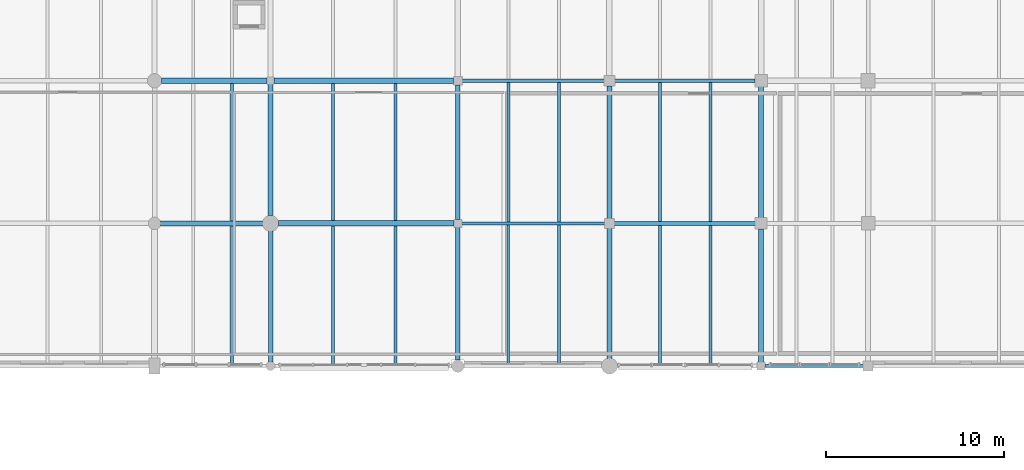
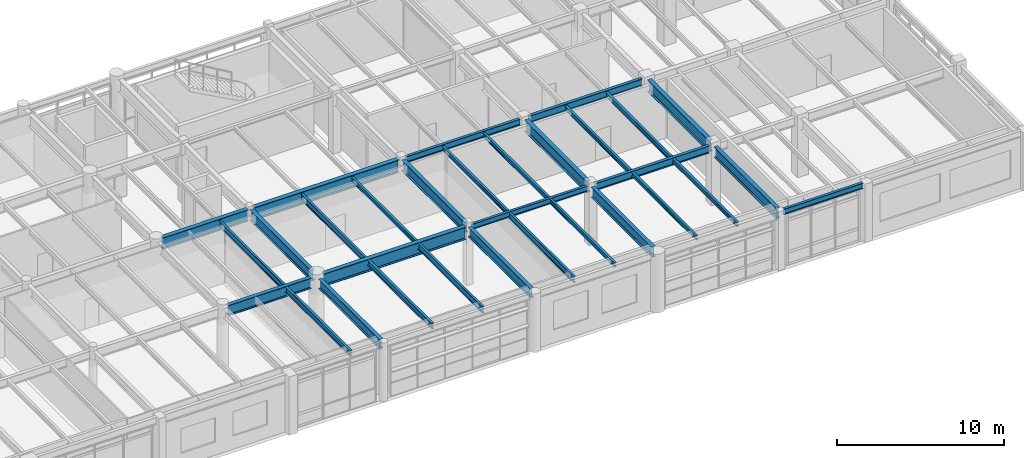
# One storey, part 114 of 168: 31 beams.
"""IFC4 building model written with IfcOpenShell, lengths in metres."""

from ifc_helpers import new_model, si_unit, direction, frame, origin, origin_2d, place, context, subcontext, project, spatial, i_section, extrude, material, material_profile, profile_set, type_object, element, save


model = new_model("IFC4")

# Units and contexts
model_context = context("Model", 3, precision=1e-05, world=origin(), true_north=direction((0.0, 1.0)))
body_context = subcontext(model_context, "Body", "Model", "MODEL_VIEW")
ifc_project = project(units=[si_unit("LENGTHUNIT", "METRE"), si_unit("AREAUNIT", "SQUARE_METRE"), si_unit("VOLUMEUNIT", "CUBIC_METRE"), si_unit("PLANEANGLEUNIT", "RADIAN"), si_unit("MASSUNIT", "GRAM", prefix="KILO"), si_unit("THERMODYNAMICTEMPERATUREUNIT", "KELVIN"), si_unit("POWERUNIT", "WATT")], contexts=[model_context])

# Site, building, storey
site_placement = place(None, origin())
site = spatial("IfcSite", under=ifc_project, at=site_placement, CompositionType="ELEMENT")
building_placement = place(site_placement, origin())
building = spatial("IfcBuilding", under=site, at=building_placement, Name="Tepalcoro Natatorium and Aquatics Centre", CompositionType="ELEMENT")
storey_placement = place(building_placement, frame((0.0, 0.0, 10.199951171875)))
storey = spatial("IfcBuildingStorey", under=building, at=storey_placement, Name="L02", CompositionType="ELEMENT", Elevation=10.199951171875)

# Beams
ifc_material = material(Name="Steel ASTM A992 Grade 50 (Fy 345 MPa)", Category="steel")
ifc_material_profile_1 = material_profile(ifc_material, i_section(OverallWidth=0.177978515625, OverallDepth=0.406005859375, WebThickness=0.008056640625, FlangeThickness=0.012939453125, FilletRadius=0.013916015625, at=origin_2d()), Name="W16X40")
ifc_profile_set_1 = profile_set([ifc_material_profile_1], Name="Steel ASTM A992 Grade 50 (Fy 345 MPa)")
beam_type_1 = type_object("IfcBeamType", Name="BM_W16x40", PredefinedType="BEAM", material=ifc_profile_set_1)
beam_1_placement = place(storey_placement, frame((142.2099609375, 94.0, 4.08203125), z_axis=(1.0, 0.0, 0.0), x_axis=(0.0, 1.0, 0.0)))
element("IfcBeam", 1, at=beam_1_placement, inside=storey, type_object=beam_type_1, Name="V5 L02 Grid Girder X", PredefinedType="BEAM", context=body_context, shape_type="SweptSolid", body=[
    extrude(i_section(OverallWidth=0.177978515625, OverallDepth=0.406005859375, WebThickness=0.008056640625, FlangeThickness=0.012939453125, FilletRadius=0.013916015625, at=origin_2d()), origin(), (0.0, 0.0, 1.0), 8.030029296875),
])
ifc_material_profile_2 = material_profile(ifc_material, i_section(OverallWidth=0.19091796875, OverallDepth=0.45703125, WebThickness=0.009033203125, FlangeThickness=0.013916015625, FilletRadius=0.013916015625, at=origin_2d()), Name="W18X50")
ifc_profile_set_2 = profile_set([ifc_material_profile_2], Name="Steel ASTM A992 Grade 50 (Fy 345 MPa)")
beam_type_2 = type_object("IfcBeamType", Name="BM_W18x50", PredefinedType="BEAM", material=ifc_profile_set_2)
beam_2_placement = place(storey_placement, frame((142.235107421875, 102.0, 4.136474609375), z_axis=(1.0, 0.0, 0.0), x_axis=(0.0, 1.0, 0.0)))
element("IfcBeam", 2, at=beam_2_placement, inside=storey, type_object=beam_type_2, Name="V5 L02 Grid Girder X", PredefinedType="BEAM", context=body_context, shape_type="SweptSolid", body=[
    extrude(i_section(OverallWidth=0.19091796875, OverallDepth=0.45703125, WebThickness=0.009033203125, FlangeThickness=0.013916015625, FilletRadius=0.013916015625, at=origin_2d()), origin(), (0.0, 0.0, 1.0), 7.97998046875),
])
ifc_material_profile_3 = material_profile(ifc_material, i_section(OverallWidth=0.2099609375, OverallDepth=0.532958984375, WebThickness=0.010009765625, FlangeThickness=0.01611328125, FilletRadius=0.013916015625, at=origin_2d()), Name="W21X62")
ifc_profile_set_3 = profile_set([ifc_material_profile_3], Name="Steel ASTM A992 Grade 50 (Fy 345 MPa)")
beam_type_3 = type_object("IfcBeamType", Name="BM_W21x62", PredefinedType="BEAM", material=ifc_profile_set_3)
beam_3_placement = place(storey_placement, frame((150.760009765625, 94.0, 4.0185546875), z_axis=(1.0, 0.0, 0.0), x_axis=(0.0, 1.0, 0.0)))
element("IfcBeam", 3, at=beam_3_placement, inside=storey, type_object=beam_type_3, Name="V5 L02 Grid Girder X", PredefinedType="BEAM", context=body_context, shape_type="SweptSolid", body=[
    extrude(i_section(OverallWidth=0.2099609375, OverallDepth=0.532958984375, WebThickness=0.010009765625, FlangeThickness=0.01611328125, FilletRadius=0.013916015625, at=origin_2d()), origin(), (0.0, 0.0, 1.0), 7.929931640625),
])
ifc_material_profile_4 = material_profile(ifc_material, i_section(OverallWidth=0.2119140625, OverallDepth=0.5439453125, WebThickness=0.012939453125, FlangeThickness=0.02099609375, FilletRadius=0.013916015625, at=origin_2d()), Name="W21X83")
ifc_profile_set_4 = profile_set([ifc_material_profile_4], Name="Steel ASTM A992 Grade 50 (Fy 345 MPa)")
beam_type_4 = type_object("IfcBeamType", Name="BM_W21x83", PredefinedType="BEAM", material=ifc_profile_set_4)
beam_4_placement = place(storey_placement, frame((150.784912109375, 102.0, 4.093017578125), z_axis=(1.0, 0.0, 0.0), x_axis=(0.0, 1.0, 0.0)))
element("IfcBeam", 4, at=beam_4_placement, inside=storey, type_object=beam_type_4, Name="V5 L02 Grid Girder X", PredefinedType="BEAM", context=body_context, shape_type="SweptSolid", body=[
    extrude(i_section(OverallWidth=0.2119140625, OverallDepth=0.5439453125, WebThickness=0.012939453125, FlangeThickness=0.02099609375, FilletRadius=0.013916015625, at=origin_2d()), origin(), (0.0, 0.0, 1.0), 7.880126953125),
])
ifc_material_profile_5 = material_profile(ifc_material, i_section(OverallWidth=0.25390625, OverallDepth=0.68798828125, WebThickness=0.012939453125, FlangeThickness=0.02099609375, FilletRadius=0.013916015625, at=origin_2d()), Name="W27X102")
ifc_profile_set_5 = profile_set([ifc_material_profile_5], Name="Steel ASTM A992 Grade 50 (Fy 345 MPa)")
beam_type_5 = type_object("IfcBeamType", Name="BM_W27x102", PredefinedType="BEAM", material=ifc_profile_set_5)
beam_5_placement = place(storey_placement, frame((131.5, 86.235107421875, 3.941162109375), z_axis=(0.0, 1.0, 0.0), x_axis=(-1.0, 0.0, 0.0)))
element("IfcBeam", 5, at=beam_5_placement, inside=storey, type_object=beam_type_5, Name="V5 L02 Grid Girder Y", PredefinedType="BEAM", context=body_context, shape_type="SweptSolid", body=[
    extrude(i_section(OverallWidth=0.25390625, OverallDepth=0.68798828125, WebThickness=0.012939453125, FlangeThickness=0.02099609375, FilletRadius=0.013916015625, at=origin_2d()), origin(), (0.0, 0.0, 1.0), 7.329833984375),
])
ifc_material_profile_6 = material_profile(ifc_material, i_section(OverallWidth=0.25390625, OverallDepth=0.700927734375, WebThickness=0.014892578125, FlangeThickness=0.028076171875, FilletRadius=0.013916015625, at=origin_2d()), Name="W27X129")
ifc_profile_set_6 = profile_set([ifc_material_profile_6], Name="Steel ASTM A992 Grade 50 (Fy 345 MPa)")
beam_type_6 = type_object("IfcBeamType", Name="BM_W27x129", PredefinedType="BEAM", material=ifc_profile_set_6)
beam_6_placement = place(storey_placement, frame((142.0, 86.3349609375, 3.9345703125), z_axis=(0.0, 1.0, 0.0), x_axis=(-1.0, 0.0, 0.0)))
element("IfcBeam", 6, at=beam_6_placement, inside=storey, type_object=beam_type_6, Name="V5 L02 Grid Girder Y", PredefinedType="BEAM", context=body_context, shape_type="SweptSolid", body=[
    extrude(i_section(OverallWidth=0.25390625, OverallDepth=0.700927734375, WebThickness=0.014892578125, FlangeThickness=0.028076171875, FilletRadius=0.013916015625, at=origin_2d()), origin(), (0.0, 0.0, 1.0), 7.455078125),
])
ifc_material_profile_7 = material_profile(ifc_material, i_section(OverallWidth=0.26708984375, OverallDepth=0.761962890625, WebThickness=0.013916015625, FlangeThickness=0.02197265625, FilletRadius=0.013916015625, at=origin_2d()), Name="W30X116")
ifc_profile_set_7 = profile_set([ifc_material_profile_7], Name="Steel ASTM A992 Grade 50 (Fy 345 MPa)")
beam_type_7 = type_object("IfcBeamType", Name="BM_W30x116", PredefinedType="BEAM", material=ifc_profile_set_7)
beam_7_placement = place(storey_placement, frame((131.5, 94.43505859375, 3.984130859375), z_axis=(0.0, 1.0, 0.0), x_axis=(-1.0, 0.0, 0.0)))
element("IfcBeam", 7, at=beam_7_placement, inside=storey, type_object=beam_type_7, Name="V5 L02 Grid Girder Y", PredefinedType="BEAM", context=body_context, shape_type="SweptSolid", body=[
    extrude(i_section(OverallWidth=0.26708984375, OverallDepth=0.761962890625, WebThickness=0.013916015625, FlangeThickness=0.02197265625, FilletRadius=0.013916015625, at=origin_2d()), origin(), (0.0, 0.0, 1.0), 7.3798828125),
])
beam_8_placement = place(storey_placement, frame((150.5, 86.43505859375, 3.904052734375), z_axis=(0.0, 1.0, 0.0), x_axis=(-1.0, 0.0, 0.0)))
element("IfcBeam", 8, at=beam_8_placement, inside=storey, type_object=beam_type_7, Name="V5 L02 Grid Girder Y", PredefinedType="BEAM", context=body_context, shape_type="SweptSolid", body=[
    extrude(i_section(OverallWidth=0.26708984375, OverallDepth=0.761962890625, WebThickness=0.013916015625, FlangeThickness=0.02197265625, FilletRadius=0.013916015625, at=origin_2d()), origin(), (0.0, 0.0, 1.0), 7.304931640625),
])
ifc_material_profile_8 = material_profile(ifc_material, i_section(OverallWidth=0.26708984375, OverallDepth=0.780029296875, WebThickness=0.01708984375, FlangeThickness=0.030029296875, FilletRadius=0.013916015625, at=origin_2d()), Name="W30X148")
ifc_profile_set_8 = profile_set([ifc_material_profile_8], Name="Steel ASTM A992 Grade 50 (Fy 345 MPa)")
beam_type_8 = type_object("IfcBeamType", Name="BM_W30x148", PredefinedType="BEAM", material=ifc_profile_set_8)
beam_9_placement = place(storey_placement, frame((125.3349609375, 94.0, 3.89501953125), z_axis=(1.0, 0.0, 0.0), x_axis=(0.0, 1.0, 0.0)))
element("IfcBeam", 9, at=beam_9_placement, inside=storey, type_object=beam_type_8, Name="V5 L02 Grid Girder X", PredefinedType="BEAM", context=body_context, shape_type="SweptSolid", body=[
    extrude(i_section(OverallWidth=0.26708984375, OverallDepth=0.780029296875, WebThickness=0.01708984375, FlangeThickness=0.030029296875, FilletRadius=0.013916015625, at=origin_2d()), origin(), (0.0, 0.0, 1.0), 5.72998046875),
])
beam_10_placement = place(storey_placement, frame((142.0, 94.2099609375, 3.97509765625), z_axis=(0.0, 1.0, 0.0), x_axis=(-1.0, 0.0, 0.0)))
element("IfcBeam", 10, at=beam_10_placement, inside=storey, type_object=beam_type_8, Name="V5 L02 Grid Girder Y", PredefinedType="BEAM", context=body_context, shape_type="SweptSolid", body=[
    extrude(i_section(OverallWidth=0.26708984375, OverallDepth=0.780029296875, WebThickness=0.01708984375, FlangeThickness=0.030029296875, FilletRadius=0.013916015625, at=origin_2d()), origin(), (0.0, 0.0, 1.0), 7.554931640625),
])
beam_11_placement = place(storey_placement, frame((159.0, 86.2099609375, 3.89501953125), z_axis=(0.0, 1.0, 0.0), x_axis=(-1.0, 0.0, 0.0)))
element("IfcBeam", 11, at=beam_11_placement, inside=storey, type_object=beam_type_8, Name="V5 L02 Grid Girder Y", PredefinedType="BEAM", context=body_context, shape_type="SweptSolid", body=[
    extrude(i_section(OverallWidth=0.26708984375, OverallDepth=0.780029296875, WebThickness=0.01708984375, FlangeThickness=0.030029296875, FilletRadius=0.013916015625, at=origin_2d()), origin(), (0.0, 0.0, 1.0), 7.47998046875),
])
ifc_material_profile_9 = material_profile(ifc_material, i_section(OverallWidth=0.2919921875, OverallDepth=0.845947265625, WebThickness=0.014892578125, FlangeThickness=0.02392578125, FilletRadius=0.013916015625, at=origin_2d()), Name="W33X141")
ifc_profile_set_9 = profile_set([ifc_material_profile_9], Name="Steel ASTM A992 Grade 50 (Fy 345 MPa)")
beam_type_9 = type_object("IfcBeamType", Name="BM_W33x141", PredefinedType="BEAM", material=ifc_profile_set_9)
beam_12_placement = place(storey_placement, frame((125.385009765625, 102.0, 3.942138671875), z_axis=(1.0, 0.0, 0.0), x_axis=(0.0, 1.0, 0.0)))
element("IfcBeam", 12, at=beam_12_placement, inside=storey, type_object=beam_type_9, Name="V5 L02 Grid Girder X", PredefinedType="BEAM", context=body_context, shape_type="SweptSolid", body=[
    extrude(i_section(OverallWidth=0.2919921875, OverallDepth=0.845947265625, WebThickness=0.014892578125, FlangeThickness=0.02392578125, FilletRadius=0.013916015625, at=origin_2d()), origin(), (0.0, 0.0, 1.0), 5.929931640625),
])
beam_13_placement = place(storey_placement, frame((150.5, 94.260009765625, 3.942138671875), z_axis=(0.0, 1.0, 0.0), x_axis=(-1.0, 0.0, 0.0)))
element("IfcBeam", 13, at=beam_13_placement, inside=storey, type_object=beam_type_9, Name="V5 L02 Grid Girder Y", PredefinedType="BEAM", context=body_context, shape_type="SweptSolid", body=[
    extrude(i_section(OverallWidth=0.2919921875, OverallDepth=0.845947265625, WebThickness=0.014892578125, FlangeThickness=0.02392578125, FilletRadius=0.013916015625, at=origin_2d()), origin(), (0.0, 0.0, 1.0), 7.455078125),
])
ifc_material_profile_10 = material_profile(ifc_material, i_section(OverallWidth=0.2919921875, OverallDepth=0.85888671875, WebThickness=0.01708984375, FlangeThickness=0.031005859375, FilletRadius=0.013916015625, at=origin_2d()), Name="W33X169")
ifc_profile_set_10 = profile_set([ifc_material_profile_10], Name="Steel ASTM A992 Grade 50 (Fy 345 MPa)")
beam_type_10 = type_object("IfcBeamType", Name="BM_W33x169", PredefinedType="BEAM", material=ifc_profile_set_10)
beam_14_placement = place(storey_placement, frame((159.0, 94.31005859375, 3.935546875), z_axis=(0.0, 1.0, 0.0), x_axis=(-1.0, 0.0, 0.0)))
element("IfcBeam", 14, at=beam_14_placement, inside=storey, type_object=beam_type_10, Name="V5 L02 Grid Girder Y", PredefinedType="BEAM", context=body_context, shape_type="SweptSolid", body=[
    extrude(i_section(OverallWidth=0.2919921875, OverallDepth=0.85888671875, WebThickness=0.01708984375, FlangeThickness=0.031005859375, FilletRadius=0.013916015625, at=origin_2d()), origin(), (0.0, 0.0, 1.0), 7.35498046875),
])
ifc_material_profile_11 = material_profile(ifc_material, i_section(OverallWidth=0.304931640625, OverallDepth=0.9189453125, WebThickness=0.01708984375, FlangeThickness=0.028076171875, FilletRadius=0.013916015625, at=origin_2d()), Name="W36X170")
ifc_profile_set_11 = profile_set([ifc_material_profile_11], Name="Steel ASTM A992 Grade 50 (Fy 345 MPa)")
beam_type_11 = type_object("IfcBeamType", Name="BM_W36x170", PredefinedType="BEAM", material=ifc_profile_set_11)
beam_15_placement = place(storey_placement, frame((131.93505859375, 94.0, 3.825439453125), z_axis=(1.0, 0.0, 0.0), x_axis=(0.0, 1.0, 0.0)))
element("IfcBeam", 15, at=beam_15_placement, inside=storey, type_object=beam_type_11, Name="V5 L02 Grid Girder X", PredefinedType="BEAM", context=body_context, shape_type="SweptSolid", body=[
    extrude(i_section(OverallWidth=0.304931640625, OverallDepth=0.9189453125, WebThickness=0.01708984375, FlangeThickness=0.028076171875, FilletRadius=0.013916015625, at=origin_2d()), origin(), (0.0, 0.0, 1.0), 9.85498046875),
])
ifc_material_profile_12 = material_profile(ifc_material, i_section(OverallWidth=0.31005859375, OverallDepth=0.931884765625, WebThickness=0.02099609375, FlangeThickness=0.034912109375, FilletRadius=0.013916015625, at=origin_2d()), Name="W36X210")
ifc_profile_set_12 = profile_set([ifc_material_profile_12], Name="Steel ASTM A992 Grade 50 (Fy 345 MPa)")
beam_type_12 = type_object("IfcBeamType", Name="BM_W36x210", PredefinedType="BEAM", material=ifc_profile_set_12)
beam_16_placement = place(storey_placement, frame((131.68505859375, 102.0, 3.899169921875), z_axis=(1.0, 0.0, 0.0), x_axis=(0.0, 1.0, 0.0)))
element("IfcBeam", 16, at=beam_16_placement, inside=storey, type_object=beam_type_12, Name="V5 L02 Grid Girder X", PredefinedType="BEAM", context=body_context, shape_type="SweptSolid", body=[
    extrude(i_section(OverallWidth=0.31005859375, OverallDepth=0.931884765625, WebThickness=0.02099609375, FlangeThickness=0.034912109375, FilletRadius=0.013916015625, at=origin_2d()), origin(), (0.0, 0.0, 1.0), 10.079833984375),
])
ifc_material_profile_13 = material_profile(ifc_material, i_section(OverallWidth=0.1650390625, OverallDepth=0.31005859375, WebThickness=0.006103515625, FlangeThickness=0.010009765625, FilletRadius=0.013916015625, at=origin_2d()), Name="W12X26")
ifc_profile_set_13 = profile_set([ifc_material_profile_13], Name="Steel ASTM A992 Grade 50 (Fy 345 MPa)")
beam_type_13 = type_object("IfcBeamType", Name="JS_W12x26", PredefinedType="JOIST", material=ifc_profile_set_13)
beam_17_placement = place(storey_placement, frame((138.5, 94.152587890625, 4.130126953125), z_axis=(0.0, 1.0, 0.0), x_axis=(-1.0, 0.0, 0.0)))
element("IfcBeam", 17, at=beam_17_placement, inside=storey, type_object=beam_type_13, Name="V5 L02 Floor Joist", PredefinedType="JOIST", context=body_context, shape_type="SweptSolid", body=[
    extrude(i_section(OverallWidth=0.1650390625, OverallDepth=0.31005859375, WebThickness=0.006103515625, FlangeThickness=0.010009765625, FilletRadius=0.013916015625, at=origin_2d()), origin(), (0.0, 0.0, 1.0), 7.6923828125),
])
beam_18_placement = place(storey_placement, frame((147.666748046875, 86.10498046875, 4.130126953125), z_axis=(0.0, 1.0, 0.0), x_axis=(-1.0, 0.0, 0.0)))
element("IfcBeam", 18, at=beam_18_placement, inside=storey, type_object=beam_type_13, Name="V5 L02 Floor Joist", PredefinedType="JOIST", context=body_context, shape_type="SweptSolid", body=[
    extrude(i_section(OverallWidth=0.1650390625, OverallDepth=0.31005859375, WebThickness=0.006103515625, FlangeThickness=0.010009765625, FilletRadius=0.013916015625, at=origin_2d()), origin(), (0.0, 0.0, 1.0), 7.805908203125),
])
beam_19_placement = place(storey_placement, frame((144.833251953125, 94.089111328125, 4.130126953125), z_axis=(0.0, 1.0, 0.0), x_axis=(-1.0, 0.0, 0.0)))
element("IfcBeam", 19, at=beam_19_placement, inside=storey, type_object=beam_type_13, Name="V5 L02 Floor Joist", PredefinedType="JOIST", context=body_context, shape_type="SweptSolid", body=[
    extrude(i_section(OverallWidth=0.1650390625, OverallDepth=0.31005859375, WebThickness=0.006103515625, FlangeThickness=0.010009765625, FilletRadius=0.013916015625, at=origin_2d()), origin(), (0.0, 0.0, 1.0), 7.8154296875),
])
beam_20_placement = place(storey_placement, frame((153.333251953125, 86.114501953125, 4.130126953125), z_axis=(0.0, 1.0, 0.0), x_axis=(-1.0, 0.0, 0.0)))
element("IfcBeam", 20, at=beam_20_placement, inside=storey, type_object=beam_type_13, Name="V5 L02 Floor Joist", PredefinedType="JOIST", context=body_context, shape_type="SweptSolid", body=[
    extrude(i_section(OverallWidth=0.1650390625, OverallDepth=0.31005859375, WebThickness=0.006103515625, FlangeThickness=0.010009765625, FilletRadius=0.013916015625, at=origin_2d()), origin(), (0.0, 0.0, 1.0), 7.780517578125),
])
ifc_material_profile_14 = material_profile(ifc_material, i_section(OverallWidth=0.1669921875, OverallDepth=0.318115234375, WebThickness=0.008056640625, FlangeThickness=0.012939453125, FilletRadius=0.013916015625, at=origin_2d()), Name="W12X35")
ifc_profile_set_14 = profile_set([ifc_material_profile_14], Name="Steel ASTM A992 Grade 50 (Fy 345 MPa)")
beam_type_14 = type_object("IfcBeamType", Name="JS_W12x35", PredefinedType="JOIST", material=ifc_profile_set_14)
beam_21_placement = place(storey_placement, frame((147.666748046875, 94.089111328125, 4.1259765625), z_axis=(0.0, 1.0, 0.0), x_axis=(-1.0, 0.0, 0.0)))
element("IfcBeam", 21, at=beam_21_placement, inside=storey, type_object=beam_type_14, Name="V5 L02 Floor Joist", PredefinedType="JOIST", context=body_context, shape_type="SweptSolid", body=[
    extrude(i_section(OverallWidth=0.1669921875, OverallDepth=0.318115234375, WebThickness=0.008056640625, FlangeThickness=0.012939453125, FilletRadius=0.013916015625, at=origin_2d()), origin(), (0.0, 0.0, 1.0), 7.8154296875),
])
beam_22_placement = place(storey_placement, frame((156.166748046875, 86.114501953125, 4.1259765625), z_axis=(0.0, 1.0, 0.0), x_axis=(-1.0, 0.0, 0.0)))
element("IfcBeam", 22, at=beam_22_placement, inside=storey, type_object=beam_type_14, Name="V5 L02 Floor Joist", PredefinedType="JOIST", context=body_context, shape_type="SweptSolid", body=[
    extrude(i_section(OverallWidth=0.1669921875, OverallDepth=0.318115234375, WebThickness=0.008056640625, FlangeThickness=0.012939453125, FilletRadius=0.013916015625, at=origin_2d()), origin(), (0.0, 0.0, 1.0), 7.780517578125),
])
beam_23_placement = place(storey_placement, frame((153.333251953125, 94.10498046875, 4.1259765625), z_axis=(0.0, 1.0, 0.0), x_axis=(-1.0, 0.0, 0.0)))
element("IfcBeam", 23, at=beam_23_placement, inside=storey, type_object=beam_type_14, Name="V5 L02 Floor Joist", PredefinedType="JOIST", context=body_context, shape_type="SweptSolid", body=[
    extrude(i_section(OverallWidth=0.1669921875, OverallDepth=0.318115234375, WebThickness=0.008056640625, FlangeThickness=0.012939453125, FilletRadius=0.013916015625, at=origin_2d()), origin(), (0.0, 0.0, 1.0), 7.7890625),
])
ifc_material_profile_15 = material_profile(ifc_material, i_section(OverallWidth=0.1708984375, OverallDepth=0.35107421875, WebThickness=0.007080078125, FlangeThickness=0.010009765625, FilletRadius=0.013916015625, at=origin_2d()), Name="W14X30")
ifc_profile_set_15 = profile_set([ifc_material_profile_15], Name="Steel ASTM A992 Grade 50 (Fy 345 MPa)")
beam_type_15 = type_object("IfcBeamType", Name="JS_W14x30", PredefinedType="JOIST", material=ifc_profile_set_15)
beam_24_placement = place(storey_placement, frame((156.166748046875, 94.10498046875, 4.109619140625), z_axis=(0.0, 1.0, 0.0), x_axis=(-1.0, 0.0, 0.0)))
element("IfcBeam", 24, at=beam_24_placement, inside=storey, type_object=beam_type_15, Name="V5 L02 Floor Joist", PredefinedType="JOIST", context=body_context, shape_type="SweptSolid", body=[
    extrude(i_section(OverallWidth=0.1708984375, OverallDepth=0.35107421875, WebThickness=0.007080078125, FlangeThickness=0.010009765625, FilletRadius=0.013916015625, at=origin_2d()), origin(), (0.0, 0.0, 1.0), 7.7890625),
])
ifc_material_profile_16 = material_profile(ifc_material, i_section(OverallWidth=0.178955078125, OverallDepth=0.409912109375, WebThickness=0.009033203125, FlangeThickness=0.013916015625, FilletRadius=0.013916015625, at=origin_2d()), Name="W16X45")
ifc_profile_set_16 = profile_set([ifc_material_profile_16], Name="Steel ASTM A992 Grade 50 (Fy 345 MPa)")
beam_type_16 = type_object("IfcBeamType", Name="JS_W16x45", PredefinedType="JOIST", material=ifc_profile_set_16)
beam_25_placement = place(storey_placement, frame((129.333251953125, 86.090087890625, 4.080078125), z_axis=(0.0, 1.0, 0.0), x_axis=(-1.0, 0.0, 0.0)))
element("IfcBeam", 25, at=beam_25_placement, inside=storey, type_object=beam_type_16, Name="V5 L02 Floor Joist", PredefinedType="JOIST", context=body_context, shape_type="SweptSolid", body=[
    extrude(i_section(OverallWidth=0.178955078125, OverallDepth=0.409912109375, WebThickness=0.009033203125, FlangeThickness=0.013916015625, FilletRadius=0.013916015625, at=origin_2d()), origin(), (0.0, 0.0, 1.0), 7.7763671875),
])
beam_26_placement = place(storey_placement, frame((135.0, 86.095458984375, 4.080078125), z_axis=(0.0, 1.0, 0.0), x_axis=(-1.0, 0.0, 0.0)))
element("IfcBeam", 26, at=beam_26_placement, inside=storey, type_object=beam_type_16, Name="V5 L02 Floor Joist", PredefinedType="JOIST", context=body_context, shape_type="SweptSolid", body=[
    extrude(i_section(OverallWidth=0.178955078125, OverallDepth=0.409912109375, WebThickness=0.009033203125, FlangeThickness=0.013916015625, FilletRadius=0.013916015625, at=origin_2d()), origin(), (0.0, 0.0, 1.0), 7.751953125),
])
ifc_material_profile_17 = material_profile(ifc_material, i_section(OverallWidth=0.153076171875, OverallDepth=0.455078125, WebThickness=0.008056640625, FlangeThickness=0.012939453125, FilletRadius=0.013916015625, at=origin_2d()), Name="W18X40")
ifc_profile_set_17 = profile_set([ifc_material_profile_17], Name="Steel ASTM A992 Grade 50 (Fy 345 MPa)")
beam_type_17 = type_object("IfcBeamType", Name="JS_W18x40", PredefinedType="JOIST", material=ifc_profile_set_17)
beam_27_placement = place(storey_placement, frame((129.333251953125, 94.133544921875, 4.0576171875), z_axis=(0.0, 1.0, 0.0), x_axis=(-1.0, 0.0, 0.0)))
element("IfcBeam", 27, at=beam_27_placement, inside=storey, type_object=beam_type_17, Name="V5 L02 Floor Joist", PredefinedType="JOIST", context=body_context, shape_type="SweptSolid", body=[
    extrude(i_section(OverallWidth=0.153076171875, OverallDepth=0.455078125, WebThickness=0.008056640625, FlangeThickness=0.012939453125, FilletRadius=0.013916015625, at=origin_2d()), origin(), (0.0, 0.0, 1.0), 7.720458984375),
])
beam_28_placement = place(storey_placement, frame((138.5, 86.095458984375, 4.0576171875), z_axis=(0.0, 1.0, 0.0), x_axis=(-1.0, 0.0, 0.0)))
element("IfcBeam", 28, at=beam_28_placement, inside=storey, type_object=beam_type_17, Name="V5 L02 Floor Joist", PredefinedType="JOIST", context=body_context, shape_type="SweptSolid", body=[
    extrude(i_section(OverallWidth=0.153076171875, OverallDepth=0.455078125, WebThickness=0.008056640625, FlangeThickness=0.012939453125, FilletRadius=0.013916015625, at=origin_2d()), origin(), (0.0, 0.0, 1.0), 7.751953125),
])
beam_29_placement = place(storey_placement, frame((135.0, 94.152587890625, 4.0576171875), z_axis=(0.0, 1.0, 0.0), x_axis=(-1.0, 0.0, 0.0)))
element("IfcBeam", 29, at=beam_29_placement, inside=storey, type_object=beam_type_17, Name="V5 L02 Floor Joist", PredefinedType="JOIST", context=body_context, shape_type="SweptSolid", body=[
    extrude(i_section(OverallWidth=0.153076171875, OverallDepth=0.455078125, WebThickness=0.008056640625, FlangeThickness=0.012939453125, FilletRadius=0.013916015625, at=origin_2d()), origin(), (0.0, 0.0, 1.0), 7.6923828125),
])
beam_30_placement = place(storey_placement, frame((144.833251953125, 86.10498046875, 4.0576171875), z_axis=(0.0, 1.0, 0.0), x_axis=(-1.0, 0.0, 0.0)))
element("IfcBeam", 30, at=beam_30_placement, inside=storey, type_object=beam_type_17, Name="V5 L02 Floor Joist", PredefinedType="JOIST", context=body_context, shape_type="SweptSolid", body=[
    extrude(i_section(OverallWidth=0.153076171875, OverallDepth=0.455078125, WebThickness=0.008056640625, FlangeThickness=0.012939453125, FilletRadius=0.013916015625, at=origin_2d()), origin(), (0.0, 0.0, 1.0), 7.805908203125),
])
ifc_material_profile_18 = material_profile(ifc_material, i_section(OverallWidth=0.179931640625, OverallDepth=0.4130859375, WebThickness=0.010009765625, FlangeThickness=0.01611328125, FilletRadius=0.013916015625, at=origin_2d()), Name="W16X50")
ifc_profile_set_18 = profile_set([ifc_material_profile_18], Name="Steel ASTM A992 Grade 50 (Fy 345 MPa)")
beam_type_18 = type_object("IfcBeamType", Name="SP_HSS300x200x12", PredefinedType="SPANDREL", material=ifc_profile_set_18)
beam_31_placement = place(storey_placement, frame((159.2099609375, 86.0, 4.07861328125), z_axis=(1.0, 0.0, 0.0), x_axis=(0.0, 1.0, 0.0)))
element("IfcBeam", 31, at=beam_31_placement, inside=storey, type_object=beam_type_18, Name="V5 L02 Grid Girder X", PredefinedType="SPANDREL", context=body_context, shape_type="SweptSolid", body=[
    extrude(i_section(OverallWidth=0.179931640625, OverallDepth=0.4130859375, WebThickness=0.010009765625, FlangeThickness=0.01611328125, FilletRadius=0.013916015625, at=origin_2d()), origin(), (0.0, 0.0, 1.0), 5.530029296875),
])

save(model, "model.ifc")
